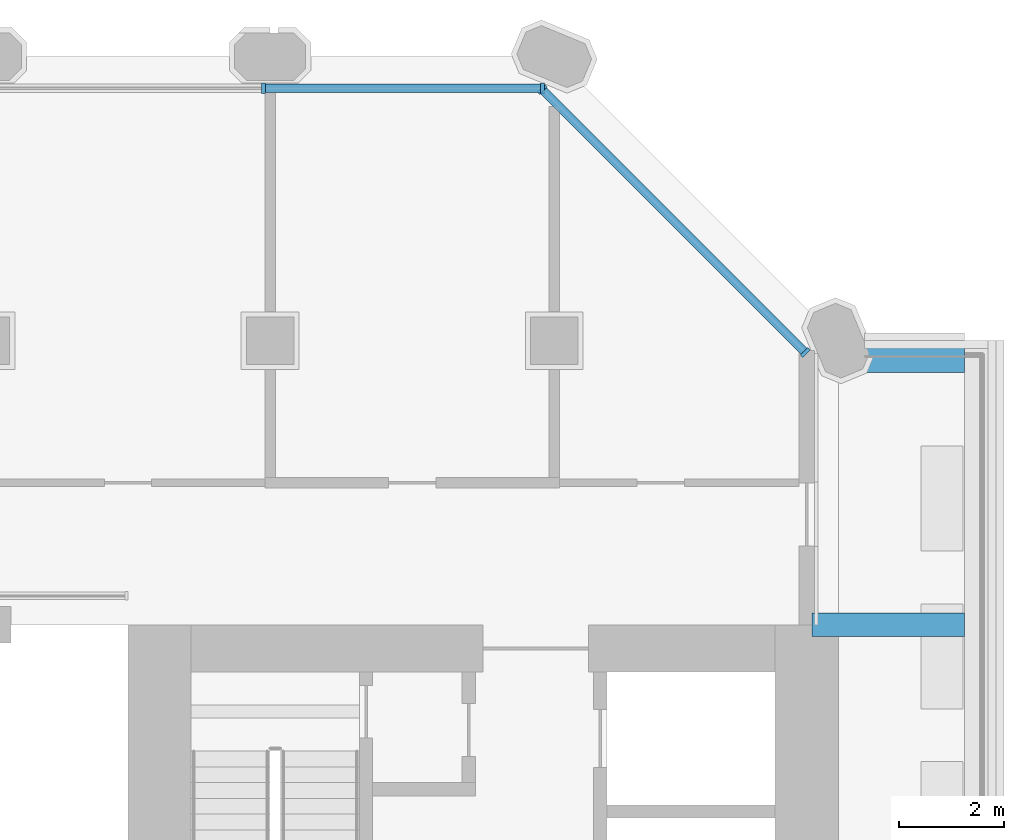
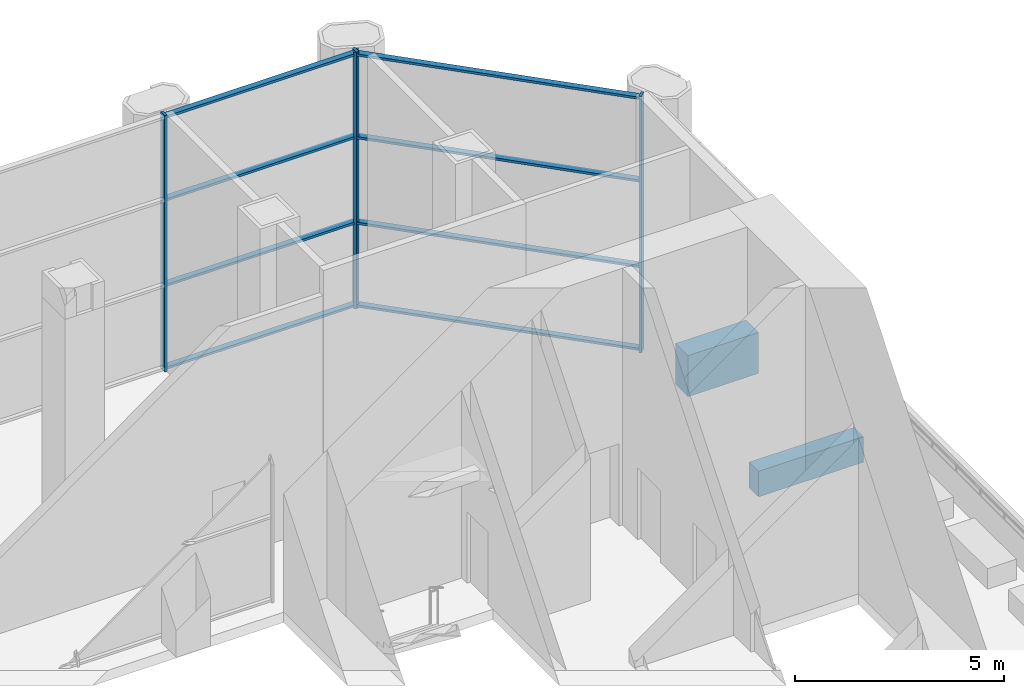
# One storey, part 7 of 20: 12 members, 2 beams, 2 elements without a shape of their own.
"""IFC4 building model written with IfcOpenShell, lengths in metres."""

from ifc_helpers import new_model, si_unit, direction, frame, origin, origin_2d, place, context, subcontext, project, spatial, rectangle, extrude, material, material_profile, profile_set, type_object, element, aggregate, save


model = new_model("IFC4")

# Units and contexts
model_context = context("Model", 3, precision=1e-05, world=origin(), true_north=direction((0.0, 1.0)))
body_context = subcontext(model_context, "Body", "Model", "MODEL_VIEW")
ifc_project = project(units=[si_unit("LENGTHUNIT", "METRE"), si_unit("AREAUNIT", "SQUARE_METRE"), si_unit("VOLUMEUNIT", "CUBIC_METRE"), si_unit("PLANEANGLEUNIT", "RADIAN"), si_unit("MASSUNIT", "GRAM", prefix="KILO")], contexts=[model_context])

# Site, building, storey
site_placement = place(None, origin())
site = spatial("IfcSite", under=ifc_project, at=site_placement, CompositionType="ELEMENT")
building_placement = place(site_placement, origin())
building = spatial("IfcBuilding", under=site, at=building_placement, Name="Tabaq Tower and Sports Hall", CompositionType="ELEMENT")
storey_placement = place(building_placement, frame((0.0, 0.0, 130.60009765625)))
storey = spatial("IfcBuildingStorey", under=building, at=storey_placement, Name="L31", CompositionType="ELEMENT", Elevation=130.60009765625)

# Curtain wall, members
ifc_material_1 = material(Name="Aluminium alloy 6063-T6 framed glazing", Category="aluminium")
curtain_wall_type = type_object("IfcCurtainWallType", Name="CW2 curtain wall", PredefinedType="USERDEFINED", material=ifc_material_1)
curtain_wall_1_placement = place(storey_placement, origin())
curtain_wall_1 = element("IfcCurtainWall", 1, at=curtain_wall_1_placement, inside=storey, type_object=curtain_wall_type, Name="Sky Lobby Wall L31 NE", ObjectType="SKY LOBBY WALL", PredefinedType="USERDEFINED")
ifc_material_2 = material(Name="Aluminium alloy 6063-T6", Category="aluminium")
ifc_material_profile_1 = material_profile(ifc_material_2, rectangle(XDim=0.199951171875, YDim=0.070068359375, at=origin_2d()), Name="MULLION 200x70")
ifc_profile_set_1 = profile_set([ifc_material_profile_1], Name="Aluminium alloy 6063-T6")
member_type_1 = type_object("IfcMemberType", Name="CW2 mullion 200x70", PredefinedType="MULLION", material=ifc_profile_set_1)
member_1_placement = place(storey_placement, frame((42.5751953125, 37.576171875, 0.0), z_axis=(0.0, 0.0, 1.0), x_axis=(-0.707106781187, -0.707106781187, 0.0)))
member_1 = element("IfcMember", 2, at=member_1_placement, type_object=member_type_1, Name="CW2 mullion 1", PredefinedType="MULLION", context=body_context, shape_type="SweptSolid", body=[
    extrude(rectangle(XDim=0.199951171875, YDim=0.070068359375, at=origin_2d()), origin(), (0.0, 0.0, 1.0), 7.5),
])
member_2_placement = place(storey_placement, frame((37.576171875, 42.5751953125, 0.0), z_axis=(0.0, 0.0, 1.0), x_axis=(-0.707106781187, -0.707106781187, 0.0)))
member_2 = element("IfcMember", 3, at=member_2_placement, type_object=member_type_1, Name="CW2 mullion 2", PredefinedType="MULLION", context=body_context, shape_type="SweptSolid", body=[
    extrude(rectangle(XDim=0.199951171875, YDim=0.070068359375, at=origin_2d()), origin(), (0.0, 0.0, 1.0), 7.5),
])

curtain_wall_2_placement = place(storey_placement, origin())
curtain_wall_2 = element("IfcCurtainWall", 4, at=curtain_wall_2_placement, inside=storey, type_object=curtain_wall_type, Name="Sky Lobby Wall L31 N", ObjectType="SKY LOBBY WALL", PredefinedType="USERDEFINED")
member_3_placement = place(storey_placement, frame((37.57861328125, 42.60009765625, 0.0), z_axis=(0.0, 0.0, 1.0), x_axis=(0.0, -1.0, 0.0)))
member_3 = element("IfcMember", 5, at=member_3_placement, type_object=member_type_1, Name="CW2 mullion 1", PredefinedType="MULLION", context=body_context, shape_type="SweptSolid", body=[
    extrude(rectangle(XDim=0.199951171875, YDim=0.070068359375, at=origin_2d()), origin(), (0.0, 0.0, 1.0), 7.5),
])
member_4_placement = place(storey_placement, frame((32.275634765625, 42.60009765625, 0.0), z_axis=(0.0, 0.0, 1.0), x_axis=(0.0, -1.0, 0.0)))
member_4 = element("IfcMember", 6, at=member_4_placement, type_object=member_type_1, Name="CW2 mullion 2", PredefinedType="MULLION", context=body_context, shape_type="SweptSolid", body=[
    extrude(rectangle(XDim=0.199951171875, YDim=0.070068359375, at=origin_2d()), origin(), (0.0, 0.0, 1.0), 7.5),
])

# Member
ifc_material_3 = material(Name="Aluminium alloy 6063-T6", Category="aluminium")
ifc_material_profile_2 = material_profile(ifc_material_3, rectangle(XDim=0.159912109375, YDim=0.070068359375, at=origin_2d()), Name="TRANSOM 160x70")
ifc_profile_set_2 = profile_set([ifc_material_profile_2], Name="Aluminium alloy 6063-T6")
member_type_2 = type_object("IfcMemberType", Name="CW2 transom 160x70", PredefinedType="USERDEFINED", material=ifc_profile_set_2)
member_5_placement = place(storey_placement, frame((42.550537109375, 37.60107421875, 0.079833984375), z_axis=(-0.707106781187, 0.707106781187, 0.0), x_axis=(-0.707106781187, -0.707106781187, 0.0)))
member_5 = element("IfcMember", 7, at=member_5_placement, type_object=member_type_2, Name="CW2 transom 1.1", ObjectType="TRANSOM", PredefinedType="USERDEFINED", context=body_context, shape_type="SweptSolid", body=[
    extrude(rectangle(XDim=0.159912109375, YDim=0.070068359375, at=origin_2d()), origin(), (0.0, 0.0, 1.0), 6.99951171875),
])

member_6_placement = place(storey_placement, frame((42.550537109375, 37.60107421875, 2.5), z_axis=(-0.707106781187, 0.707106781187, 0.0), x_axis=(-0.707106781187, -0.707106781187, 0.0)))
member_6 = element("IfcMember", 8, at=member_6_placement, type_object=member_type_2, Name="CW2 transom 1.2", ObjectType="TRANSOM", PredefinedType="USERDEFINED", context=body_context, shape_type="SweptSolid", body=[
    extrude(rectangle(XDim=0.159912109375, YDim=0.070068359375, at=origin_2d()), origin(), (0.0, 0.0, 1.0), 6.99951171875),
])

member_7_placement = place(storey_placement, frame((42.550537109375, 37.60107421875, 5.0), z_axis=(-0.707106781187, 0.707106781187, 0.0), x_axis=(-0.707106781187, -0.707106781187, 0.0)))
member_7 = element("IfcMember", 9, at=member_7_placement, type_object=member_type_2, Name="CW2 transom 1.3", ObjectType="TRANSOM", PredefinedType="USERDEFINED", context=body_context, shape_type="SweptSolid", body=[
    extrude(rectangle(XDim=0.159912109375, YDim=0.070068359375, at=origin_2d()), origin(), (0.0, 0.0, 1.0), 6.99951171875),
])

member_8_placement = place(storey_placement, frame((42.550537109375, 37.60107421875, 7.419921875), z_axis=(-0.707106781187, 0.707106781187, 0.0), x_axis=(-0.707106781187, -0.707106781187, 0.0)))
member_8 = element("IfcMember", 10, at=member_8_placement, type_object=member_type_2, Name="CW2 transom 1.4", ObjectType="TRANSOM", PredefinedType="USERDEFINED", context=body_context, shape_type="SweptSolid", body=[
    extrude(rectangle(XDim=0.159912109375, YDim=0.070068359375, at=origin_2d()), origin(), (0.0, 0.0, 1.0), 6.99951171875),
])

aggregate(curtain_wall_1, [member_1, member_2, member_5, member_6, member_7, member_8])

member_9_placement = place(storey_placement, frame((37.543701171875, 42.60009765625, 0.079833984375), z_axis=(-1.0, 0.0, 0.0), x_axis=(0.0, -1.0, 0.0)))
member_9 = element("IfcMember", 11, at=member_9_placement, type_object=member_type_2, Name="CW2 transom 1.1", ObjectType="TRANSOM", PredefinedType="USERDEFINED", context=body_context, shape_type="SweptSolid", body=[
    extrude(rectangle(XDim=0.159912109375, YDim=0.070068359375, at=origin_2d()), origin(), (0.0, 0.0, 1.0), 5.23291015625),
])

member_10_placement = place(storey_placement, frame((37.543701171875, 42.60009765625, 2.5), z_axis=(-1.0, 0.0, 0.0), x_axis=(0.0, -1.0, 0.0)))
member_10 = element("IfcMember", 12, at=member_10_placement, type_object=member_type_2, Name="CW2 transom 1.2", ObjectType="TRANSOM", PredefinedType="USERDEFINED", context=body_context, shape_type="SweptSolid", body=[
    extrude(rectangle(XDim=0.159912109375, YDim=0.070068359375, at=origin_2d()), origin(), (0.0, 0.0, 1.0), 5.23291015625),
])

member_11_placement = place(storey_placement, frame((37.543701171875, 42.60009765625, 5.0), z_axis=(-1.0, 0.0, 0.0), x_axis=(0.0, -1.0, 0.0)))
member_11 = element("IfcMember", 13, at=member_11_placement, type_object=member_type_2, Name="CW2 transom 1.3", ObjectType="TRANSOM", PredefinedType="USERDEFINED", context=body_context, shape_type="SweptSolid", body=[
    extrude(rectangle(XDim=0.159912109375, YDim=0.070068359375, at=origin_2d()), origin(), (0.0, 0.0, 1.0), 5.23291015625),
])

member_12_placement = place(storey_placement, frame((37.543701171875, 42.60009765625, 7.419921875), z_axis=(-1.0, 0.0, 0.0), x_axis=(0.0, -1.0, 0.0)))
member_12 = element("IfcMember", 14, at=member_12_placement, type_object=member_type_2, Name="CW2 transom 1.4", ObjectType="TRANSOM", PredefinedType="USERDEFINED", context=body_context, shape_type="SweptSolid", body=[
    extrude(rectangle(XDim=0.159912109375, YDim=0.070068359375, at=origin_2d()), origin(), (0.0, 0.0, 1.0), 5.23291015625),
])

aggregate(curtain_wall_2, [member_3, member_4, member_9, member_10, member_11, member_12])

# Beams
ifc_material_4 = material(Name="Concrete C40/50", Category="concrete")
ifc_material_profile_3 = material_profile(ifc_material_4, rectangle(XDim=0.60009765625, YDim=1.199951171875, at=origin_2d()), Name="EBT 600x1200")
ifc_profile_set_3 = profile_set([ifc_material_profile_3], Name="Concrete C40/50")
beam_type_1 = type_object("IfcBeamType", Name="Concrete C40/50 PT edge band EBT 600x1200", PredefinedType="BEAM", material=ifc_profile_set_3)
beam_1_placement = place(storey_placement, frame((43.64990234375, 37.5, -0.900146484375), z_axis=(1.0, 0.0, 0.0), x_axis=(0.0, 1.0, 0.0)))
element("IfcBeam", 15, at=beam_1_placement, inside=storey, type_object=beam_type_1, Name="Tray edge band L31", PredefinedType="BEAM", context=body_context, shape_type="SweptSolid", body=[
    extrude(rectangle(XDim=0.60009765625, YDim=1.199951171875, at=origin_2d()), origin(), (0.0, 0.0, 1.0), 1.9501953125),
])
ifc_material_5 = material(Name="Concrete C40/50", Category="concrete")
ifc_material_profile_4 = material_profile(ifc_material_5, rectangle(XDim=0.449951171875, YDim=0.75, at=origin_2d()), Name="CB 450x750")
ifc_profile_set_4 = profile_set([ifc_material_profile_4], Name="Concrete C40/50")
beam_type_2 = type_object("IfcBeamType", Name="PT CANTILEVER BEAM CB 450x750 C40/50", PredefinedType="BEAM", material=ifc_profile_set_4)
beam_2_placement = place(storey_placement, frame((45.60009765625, 32.39990234375, -0.675048828125), z_axis=(-1.0, 0.0, 0.0), x_axis=(0.0, -1.0, 0.0)))
element("IfcBeam", 16, at=beam_2_placement, inside=storey, type_object=beam_type_2, Name="Tray Cantilever Beam L31 T4 span 1", PredefinedType="BEAM", context=body_context, shape_type="SweptSolid", body=[
    extrude(rectangle(XDim=0.449951171875, YDim=0.75, at=origin_2d()), origin(), (0.0, 0.0, 1.0), 2.900146484375),
])

save(model, "model.ifc")
